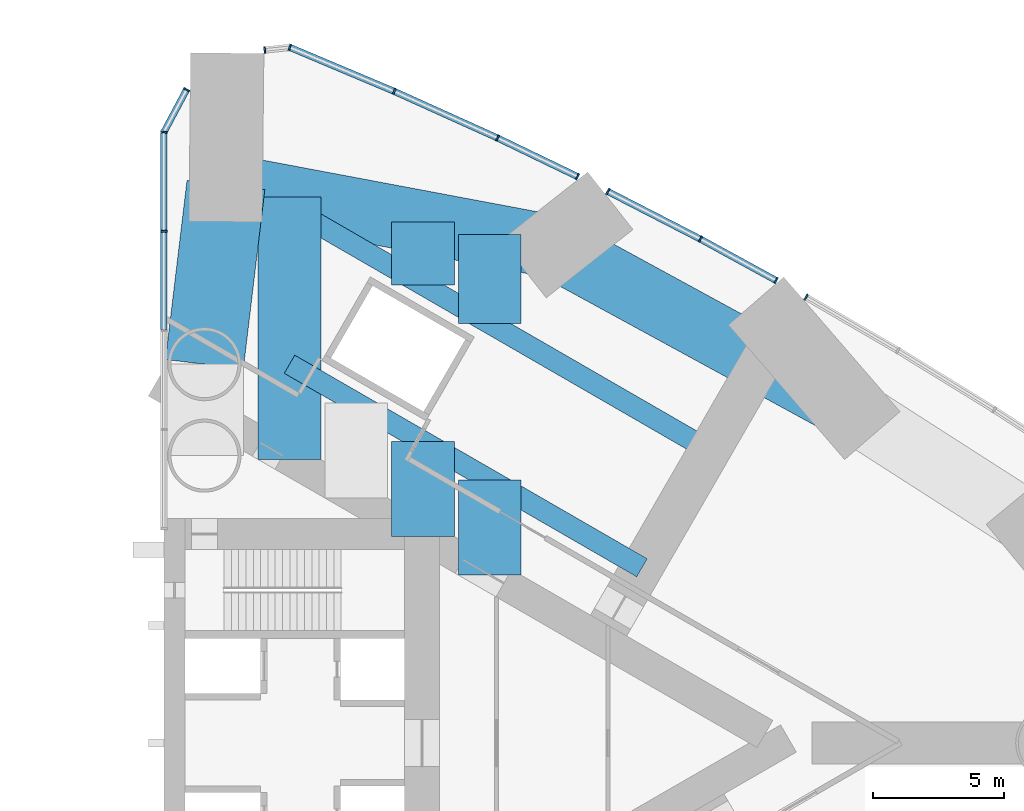
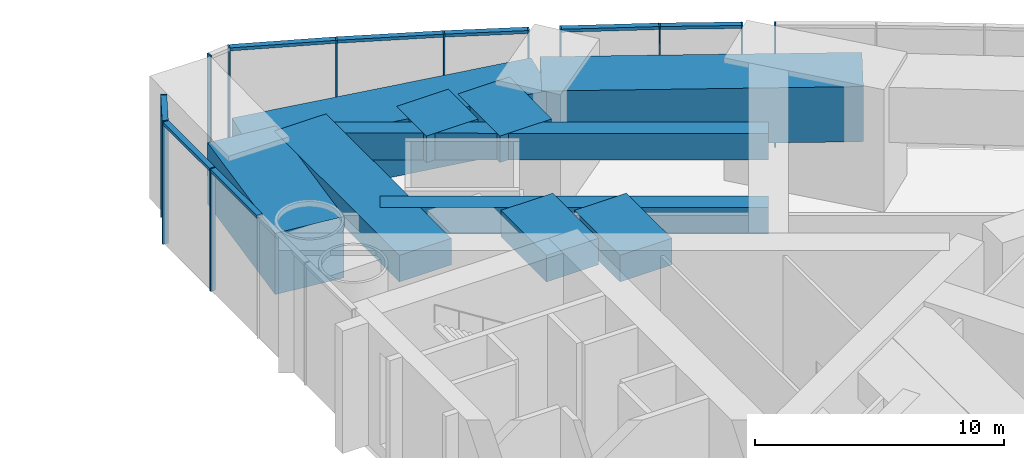
# One storey, part 8 of 18: 20 members, 10 beams, 4 elements without a shape of their own.
"""IFC4 building model written with IfcOpenShell, lengths in metres."""

from ifc_helpers import new_model, si_unit, direction, frame, origin, origin_2d, place, context, subcontext, project, spatial, rectangle, hollow_rectangle, extrude, material, material_profile, profile_set, type_object, element, aggregate, save


model = new_model("IFC4")

# Units and contexts
model_context = context("Model", 3, precision=1e-05, world=origin(), true_north=direction((0.0, 1.0)))
body_context = subcontext(model_context, "Body", "Model", "MODEL_VIEW")
ifc_project = project(units=[si_unit("LENGTHUNIT", "METRE"), si_unit("AREAUNIT", "SQUARE_METRE"), si_unit("VOLUMEUNIT", "CUBIC_METRE"), si_unit("PLANEANGLEUNIT", "RADIAN"), si_unit("MASSUNIT", "GRAM", prefix="KILO")], contexts=[model_context])

# Site, building, storey
site_placement = place(None, origin())
site = spatial("IfcSite", under=ifc_project, at=site_placement, CompositionType="ELEMENT")
building_placement = place(site_placement, origin())
building = spatial("IfcBuilding", under=site, at=building_placement, Name="Lancet Gate Hotel", CompositionType="ELEMENT")
storey_placement = place(building_placement, frame((0.0, 0.0, 81.0)))
storey = spatial("IfcBuildingStorey", under=building, at=storey_placement, Name="L21", CompositionType="ELEMENT", Elevation=81.0)

# Curtain wall, member
ifc_material_1 = material(Name="Aluminium curtain wall", Category="aluminium")
curtain_wall_type = type_object("IfcCurtainWallType", Name="Refuge storey louvred curtain wall", PredefinedType="USERDEFINED", material=ifc_material_1)
curtain_wall_1_placement = place(storey_placement, origin())
curtain_wall_1 = element("IfcCurtainWall", 1, at=curtain_wall_1_placement, inside=storey, type_object=curtain_wall_type, Name="T2 L21 curtain wall 7", ObjectType="LANTERN GLAZING", PredefinedType="USERDEFINED")
ifc_material_2 = material(Name="Aluminium mullion", Category="aluminium")
ifc_material_profile_1 = material_profile(ifc_material_2, rectangle(XDim=0.06494140625, YDim=0.25, at=origin_2d()), Name="MULLION 65x250")
ifc_profile_set_1 = profile_set([ifc_material_profile_1], Name="Aluminium mullion")
member_type_1 = type_object("IfcMemberType", Name="Aluminium mullion 65x250", PredefinedType="MULLION", material=ifc_profile_set_1)
member_1_placement = place(storey_placement, frame((52.077392578125, 17.070068359375, 0.0), z_axis=(0.0, 0.0, 1.0), x_axis=(-0.864871773788, 0.501992843479, 0.0)))
member_1 = element("IfcMember", 2, at=member_1_placement, type_object=member_type_1, Name="T2 L21 curtain wall 7 mullion 4", PredefinedType="MULLION", context=body_context, shape_type="SweptSolid", body=[
    extrude(rectangle(XDim=0.06494140625, YDim=0.25, at=origin_2d()), origin(), (0.0, 0.0, 1.0), 6.0),
])
aggregate(curtain_wall_1, [member_1])

# Curtain wall, members
curtain_wall_2_placement = place(storey_placement, origin())
curtain_wall_2 = element("IfcCurtainWall", 3, at=curtain_wall_2_placement, inside=storey, type_object=curtain_wall_type, Name="T2 L21 curtain wall 8", ObjectType="LANTERN GLAZING", PredefinedType="USERDEFINED")
member_2_placement = place(storey_placement, frame((50.929931640625, 17.70556640625, 0.0), z_axis=(0.0, 0.0, 1.0), x_axis=(-0.877368015134, 0.47981805512, 0.0)))
member_2 = element("IfcMember", 4, at=member_2_placement, type_object=member_type_1, Name="T2 L21 curtain wall 8 mullion 1", PredefinedType="MULLION", context=body_context, shape_type="SweptSolid", body=[
    extrude(rectangle(XDim=0.06494140625, YDim=0.25, at=origin_2d()), origin(), (0.0, 0.0, 1.0), 6.0),
])
member_3_placement = place(storey_placement, frame((48.03271484375, 19.2900390625, 0.0), z_axis=(0.0, 0.0, 1.0), x_axis=(-0.883962982185, 0.467556890791, 0.0)))
member_3 = element("IfcMember", 5, at=member_3_placement, type_object=member_type_1, Name="T2 L21 curtain wall 8 mullion 2", PredefinedType="MULLION", context=body_context, shape_type="SweptSolid", body=[
    extrude(rectangle(XDim=0.06494140625, YDim=0.25, at=origin_2d()), origin(), (0.0, 0.0, 1.0), 6.0),
])
member_4_placement = place(storey_placement, frame((44.487548828125, 21.11328125, 0.0), z_axis=(0.0, 0.0, 1.0), x_axis=(-0.889295829671, 0.457332403541, 0.0)))
member_4 = element("IfcMember", 6, at=member_4_placement, type_object=member_type_1, Name="T2 L21 curtain wall 8 mullion 3", PredefinedType="MULLION", context=body_context, shape_type="SweptSolid", body=[
    extrude(rectangle(XDim=0.06494140625, YDim=0.25, at=origin_2d()), origin(), (0.0, 0.0, 1.0), 6.0),
])

curtain_wall_3_placement = place(storey_placement, origin())
curtain_wall_3 = element("IfcCurtainWall", 7, at=curtain_wall_3_placement, inside=storey, type_object=curtain_wall_type, Name="T2 L21 curtain wall 9", ObjectType="LANTERN GLAZING", PredefinedType="USERDEFINED")
member_5_placement = place(storey_placement, frame((43.33203125, 21.6806640625, 0.0), z_axis=(0.0, 0.0, 1.0), x_axis=(-0.90064748964, 0.434550456686, 0.0)))
member_5 = element("IfcMember", 8, at=member_5_placement, type_object=member_type_1, Name="T2 L21 curtain wall 9 mullion 1", PredefinedType="MULLION", context=body_context, shape_type="SweptSolid", body=[
    extrude(rectangle(XDim=0.06494140625, YDim=0.25, at=origin_2d()), origin(), (0.0, 0.0, 1.0), 6.0),
])
member_6_placement = place(storey_placement, frame((40.2685546875, 23.15869140625, 0.0), z_axis=(0.0, 0.0, 1.0), x_axis=(-0.906755286651, 0.421657266189, 0.0)))
member_6 = element("IfcMember", 9, at=member_6_placement, type_object=member_type_1, Name="T2 L21 curtain wall 9 mullion 2", PredefinedType="MULLION", context=body_context, shape_type="SweptSolid", body=[
    extrude(rectangle(XDim=0.06494140625, YDim=0.25, at=origin_2d()), origin(), (0.0, 0.0, 1.0), 6.0),
])
member_7_placement = place(storey_placement, frame((36.31494140625, 24.943603515625, 0.0), z_axis=(0.0, 0.0, 1.0), x_axis=(-0.916578705089, 0.399854320193, 0.0)))
member_7 = element("IfcMember", 10, at=member_7_placement, type_object=member_type_1, Name="T2 L21 curtain wall 9 mullion 3", PredefinedType="MULLION", context=body_context, shape_type="SweptSolid", body=[
    extrude(rectangle(XDim=0.06494140625, YDim=0.25, at=origin_2d()), origin(), (0.0, 0.0, 1.0), 6.0),
])
member_8_placement = place(storey_placement, frame((32.3173828125, 26.62744140625, 0.0), z_axis=(0.0, 0.0, 1.0), x_axis=(-0.952473373857, 0.304621850979, 0.0)))
member_8 = element("IfcMember", 11, at=member_8_placement, type_object=member_type_1, Name="T2 L21 curtain wall 9 mullion 4", PredefinedType="MULLION", context=body_context, shape_type="SweptSolid", body=[
    extrude(rectangle(XDim=0.06494140625, YDim=0.25, at=origin_2d()), origin(), (0.0, 0.0, 1.0), 6.0),
])
member_9_placement = place(storey_placement, frame((31.360595703125, 26.5283203125, 0.0), z_axis=(0.0, 0.0, 1.0), x_axis=(-0.994672262412, -0.10308778001, 0.0)))
member_9 = element("IfcMember", 12, at=member_9_placement, type_object=member_type_1, Name="T2 L21 curtain wall 9 mullion 5", PredefinedType="MULLION", context=body_context, shape_type="SweptSolid", body=[
    extrude(rectangle(XDim=0.06494140625, YDim=0.25, at=origin_2d()), origin(), (0.0, 0.0, 1.0), 6.0),
])

curtain_wall_4_placement = place(storey_placement, origin())
curtain_wall_4 = element("IfcCurtainWall", 13, at=curtain_wall_4_placement, inside=storey, type_object=curtain_wall_type, Name="T2 L21 curtain wall 10", ObjectType="LANTERN GLAZING", PredefinedType="USERDEFINED")
member_10_placement = place(storey_placement, frame((28.365234375, 25.010009765625, 0.0), z_axis=(0.0, 0.0, 1.0), x_axis=(-0.469897827284, -0.882720811987, 0.0)))
member_10 = element("IfcMember", 14, at=member_10_placement, type_object=member_type_1, Name="T2 L21 curtain wall 10 mullion 1", PredefinedType="MULLION", context=body_context, shape_type="SweptSolid", body=[
    extrude(rectangle(XDim=0.06494140625, YDim=0.25, at=origin_2d()), origin(), (0.0, 0.0, 1.0), 6.0),
])
member_11_placement = place(storey_placement, frame((27.5, 23.384765625, 0.0), z_axis=(0.0, 0.0, 1.0), x_axis=(-0.157592513508, -0.98750422768, 0.0)))
member_11 = element("IfcMember", 15, at=member_11_placement, type_object=member_type_1, Name="T2 L21 curtain wall 10 mullion 2", PredefinedType="MULLION", context=body_context, shape_type="SweptSolid", body=[
    extrude(rectangle(XDim=0.06494140625, YDim=0.25, at=origin_2d()), origin(), (0.0, 0.0, 1.0), 6.0),
])
member_12_placement = place(storey_placement, frame((27.5, 19.588623046875, 0.0), z_axis=(0.0, 0.0, 1.0), x_axis=(0.0, -1.0, 0.0)))
member_12 = element("IfcMember", 16, at=member_12_placement, type_object=member_type_1, Name="T2 L21 curtain wall 10 mullion 3", PredefinedType="MULLION", context=body_context, shape_type="SweptSolid", body=[
    extrude(rectangle(XDim=0.06494140625, YDim=0.25, at=origin_2d()), origin(), (0.0, 0.0, 1.0), 6.0),
])

# Member
ifc_material_3 = material(Name="Aluminium transom", Category="aluminium")
ifc_material_profile_2 = material_profile(ifc_material_3, rectangle(XDim=0.25, YDim=0.14990234375, at=origin_2d()), Name="TRANSOM 250x150")
ifc_profile_set_2 = profile_set([ifc_material_profile_2], Name="Aluminium transom")
member_type_2 = type_object("IfcMemberType", Name="Aluminium transom 250x150", PredefinedType="USERDEFINED", material=ifc_profile_set_2)
member_13_placement = place(storey_placement, frame((50.9013671875, 17.72119140625, 5.925048828125), z_axis=(-0.877364690262, 0.479824134742, 0.0), x_axis=(-0.479824134742, -0.877364690262, 0.0)))
member_13 = element("IfcMember", 17, at=member_13_placement, type_object=member_type_2, Name="T2 L21 curtain wall 8 transom 1", ObjectType="TRANSOM", PredefinedType="USERDEFINED", context=body_context, shape_type="SweptSolid", body=[
    extrude(rectangle(XDim=0.25, YDim=0.14990234375, at=origin_2d()), origin(), (0.0, 0.0, 1.0), 3.237060546875),
])

member_14_placement = place(storey_placement, frame((48.00390625, 19.304931640625, 5.925048828125), z_axis=(-0.889302270264, 0.457319879409, 0.0), x_axis=(-0.457319879409, -0.889302270264, 0.0)))
member_14 = element("IfcMember", 18, at=member_14_placement, type_object=member_type_2, Name="T2 L21 curtain wall 8 transom 2", ObjectType="TRANSOM", PredefinedType="USERDEFINED", context=body_context, shape_type="SweptSolid", body=[
    extrude(rectangle(XDim=0.25, YDim=0.14990234375, at=origin_2d()), origin(), (0.0, 0.0, 1.0), 3.921630859375),
])

aggregate(curtain_wall_2, [member_2, member_3, member_4, member_13, member_14])

member_15_placement = place(storey_placement, frame((43.302734375, 21.69482421875, 5.925048828125), z_axis=(-0.900660279687, 0.43452394709, 0.0), x_axis=(-0.43452394709, -0.900660279687, 0.0)))
member_15 = element("IfcMember", 19, at=member_15_placement, type_object=member_type_2, Name="T2 L21 curtain wall 9 transom 1", ObjectType="TRANSOM", PredefinedType="USERDEFINED", context=body_context, shape_type="SweptSolid", body=[
    extrude(rectangle(XDim=0.25, YDim=0.14990234375, at=origin_2d()), origin(), (0.0, 0.0, 1.0), 3.33642578125),
])

member_16_placement = place(storey_placement, frame((40.23876953125, 23.172119140625, 5.925048828125), z_axis=(-0.911396871737, 0.411528543589, 0.0), x_axis=(-0.411528543589, -0.911396871737, 0.0)))
member_16 = element("IfcMember", 20, at=member_16_placement, type_object=member_type_2, Name="T2 L21 curtain wall 9 transom 2", ObjectType="TRANSOM", PredefinedType="USERDEFINED", context=body_context, shape_type="SweptSolid", body=[
    extrude(rectangle(XDim=0.25, YDim=0.14990234375, at=origin_2d()), origin(), (0.0, 0.0, 1.0), 4.272705078125),
])

member_17_placement = place(storey_placement, frame((36.28515625, 24.956298828125, 5.925048828125), z_axis=(-0.92159772617, 0.388146404233, 0.0), x_axis=(-0.388146404233, -0.92159772617, 0.0)))
member_17 = element("IfcMember", 21, at=member_17_placement, type_object=member_type_2, Name="T2 L21 curtain wall 9 transom 3", ObjectType="TRANSOM", PredefinedType="USERDEFINED", context=body_context, shape_type="SweptSolid", body=[
    extrude(rectangle(XDim=0.25, YDim=0.14990234375, at=origin_2d()), origin(), (0.0, 0.0, 1.0), 4.272705078125),
])

aggregate(curtain_wall_3, [member_5, member_6, member_7, member_8, member_9, member_15, member_16, member_17])

member_18_placement = place(storey_placement, frame((28.349853515625, 24.9814453125, 5.925048828125), z_axis=(-0.469831805048, -0.882755954364, 0.0), x_axis=(0.882755954364, -0.469831805048, 0.0)))
member_18 = element("IfcMember", 22, at=member_18_placement, type_object=member_type_2, Name="T2 L21 curtain wall 10 transom 1", ObjectType="TRANSOM", PredefinedType="USERDEFINED", context=body_context, shape_type="SweptSolid", body=[
    extrude(rectangle(XDim=0.25, YDim=0.14990234375, at=origin_2d()), origin(), (0.0, 0.0, 1.0), 1.776123046875),
])

member_19_placement = place(storey_placement, frame((27.5, 23.352294921875, 5.925048828125), z_axis=(0.0, -1.0, 0.0), x_axis=(1.0, 0.0, 0.0)))
member_19 = element("IfcMember", 23, at=member_19_placement, type_object=member_type_2, Name="T2 L21 curtain wall 10 transom 2", ObjectType="TRANSOM", PredefinedType="USERDEFINED", context=body_context, shape_type="SweptSolid", body=[
    extrude(rectangle(XDim=0.25, YDim=0.14990234375, at=origin_2d()), origin(), (0.0, 0.0, 1.0), 3.731201171875),
])

member_20_placement = place(storey_placement, frame((27.5, 19.55615234375, 5.925048828125), z_axis=(0.0, -1.0, 0.0), x_axis=(1.0, 0.0, 0.0)))
member_20 = element("IfcMember", 24, at=member_20_placement, type_object=member_type_2, Name="T2 L21 curtain wall 10 transom 3", ObjectType="TRANSOM", PredefinedType="USERDEFINED", context=body_context, shape_type="SweptSolid", body=[
    extrude(rectangle(XDim=0.25, YDim=0.14990234375, at=origin_2d()), origin(), (0.0, 0.0, 1.0), 3.731201171875),
])

aggregate(curtain_wall_4, [member_10, member_11, member_12, member_18, member_19, member_20])

# Beams
ifc_material_4 = material(Name="Concrete C50/60", Category="concrete")
ifc_material_profile_3 = material_profile(ifc_material_4, rectangle(XDim=2.39990234375, YDim=1.300048828125, at=origin_2d()), Name="RC 2400x1300")
ifc_profile_set_3 = profile_set([ifc_material_profile_3], Name="Concrete C50/60")
beam_type_1 = type_object("IfcBeamType", Name="Floor beam RC 2400x1300", PredefinedType="BEAM", material=ifc_profile_set_3)
beam_1_placement = place(storey_placement, frame((32.306396484375, 10.851806640625, 5.10009765625), z_axis=(0.0, 1.0, 0.0), x_axis=(-1.0, 0.0, 0.0)))
element("IfcBeam", 25, at=beam_1_placement, inside=storey, type_object=beam_type_1, Name="T2 floor beam F02N L21", PredefinedType="BEAM", context=body_context, shape_type="SweptSolid", body=[
    extrude(rectangle(XDim=2.39990234375, YDim=1.300048828125, at=origin_2d()), origin(), (0.0, 0.0, 1.0), 10.0458984375),
])
beam_2_placement = place(storey_placement, frame((37.412841796875, 7.903564453125, 5.10009765625), z_axis=(0.0, 1.0, 0.0), x_axis=(-1.0, 0.0, 0.0)))
element("IfcBeam", 26, at=beam_2_placement, inside=storey, type_object=beam_type_1, Name="T2 floor beam F06NA L21", PredefinedType="BEAM", context=body_context, shape_type="SweptSolid", body=[
    extrude(rectangle(XDim=2.39990234375, YDim=1.300048828125, at=origin_2d()), origin(), (0.0, 0.0, 1.0), 3.6455078125),
])
beam_3_placement = place(storey_placement, frame((37.412841796875, 17.537109375, 5.10009765625), z_axis=(0.0, 1.0, 0.0), x_axis=(-1.0, 0.0, 0.0)))
element("IfcBeam", 27, at=beam_3_placement, inside=storey, type_object=beam_type_1, Name="T2 floor beam F06NB L21", PredefinedType="BEAM", context=body_context, shape_type="SweptSolid", body=[
    extrude(rectangle(XDim=2.39990234375, YDim=1.300048828125, at=origin_2d()), origin(), (0.0, 0.0, 1.0), 2.40087890625),
])
beam_4_placement = place(storey_placement, frame((39.9658203125, 6.429443359375, 5.10009765625), z_axis=(0.0, 1.0, 0.0), x_axis=(-1.0, 0.0, 0.0)))
element("IfcBeam", 28, at=beam_4_placement, inside=storey, type_object=beam_type_1, Name="T2 floor beam F08NA L21", PredefinedType="BEAM", context=body_context, shape_type="SweptSolid", body=[
    extrude(rectangle(XDim=2.39990234375, YDim=1.300048828125, at=origin_2d()), origin(), (0.0, 0.0, 1.0), 3.64501953125),
])
beam_5_placement = place(storey_placement, frame((39.9658203125, 16.062744140625, 5.10009765625), z_axis=(0.0, 1.0, 0.0), x_axis=(-1.0, 0.0, 0.0)))
element("IfcBeam", 29, at=beam_5_placement, inside=storey, type_object=beam_type_1, Name="T2 floor beam F08NB L21", PredefinedType="BEAM", context=body_context, shape_type="SweptSolid", body=[
    extrude(rectangle(XDim=2.39990234375, YDim=1.300048828125, at=origin_2d()), origin(), (0.0, 0.0, 1.0), 3.3955078125),
])
ifc_material_5 = material(Name="Concrete C50/60", Category="concrete")
ifc_material_profile_4 = material_profile(ifc_material_5, rectangle(XDim=2.39990234375, YDim=2.699951171875, at=origin_2d()), Name="RC 2400x2700")
ifc_profile_set_4 = profile_set([ifc_material_profile_4], Name="Concrete C50/60")
beam_type_2 = type_object("IfcBeamType", Name="Tie ring beam RC 2400x2700", PredefinedType="SPANDREL", material=ifc_profile_set_4)
beam_6_placement = place(storey_placement, frame((53.697021484375, 12.827392578125, 4.39990234375), z_axis=(-0.87792015078, 0.478807068509, 0.0), x_axis=(-0.478807068509, -0.87792015078, 0.0)))
element("IfcBeam", 30, at=beam_6_placement, inside=storey, type_object=beam_type_2, Name="T2 tie ring beam RG3 L21", PredefinedType="SPANDREL", context=body_context, shape_type="SweptSolid", body=[
    extrude(rectangle(XDim=2.39990234375, YDim=2.699951171875, at=origin_2d()), origin(), (0.0, 0.0, 1.0), 12.906494140625),
])
beam_7_placement = place(storey_placement, frame((42.3662109375, 19.007080078125, 4.39990234375), z_axis=(-0.982797318081, 0.184687388776, 0.0), x_axis=(-0.184687388776, -0.982797318081, 0.0)))
element("IfcBeam", 31, at=beam_7_placement, inside=storey, type_object=beam_type_2, Name="T2 tie ring beam RG3 L21", PredefinedType="SPANDREL", context=body_context, shape_type="SweptSolid", body=[
    extrude(rectangle(XDim=2.39990234375, YDim=2.699951171875, at=origin_2d()), origin(), (0.0, 0.0, 1.0), 12.712890625),
])
ifc_material_6 = material(Name="Concrete C50/60", Category="concrete")
ifc_material_profile_5 = material_profile(ifc_material_6, rectangle(XDim=3.0, YDim=3.0, at=origin_2d()), Name="RC 3000x3000")
ifc_profile_set_5 = profile_set([ifc_material_profile_5], Name="Concrete C50/60")
beam_type_3 = type_object("IfcBeamType", Name="Tie ring beam RC 3000x3000", PredefinedType="SPANDREL", material=ifc_profile_set_5)
beam_8_placement = place(storey_placement, frame((29.050048828125, 14.5, 4.25), z_axis=(0.119062951196, 0.99288670736, 0.0), x_axis=(-0.99288670736, 0.119062951196, 0.0)))
element("IfcBeam", 32, at=beam_8_placement, inside=storey, type_object=beam_type_3, Name="T2 tie ring beam RG4 L21", PredefinedType="SPANDREL", context=body_context, shape_type="SweptSolid", body=[
    extrude(rectangle(XDim=3.0, YDim=3.0, at=origin_2d()), origin(), (0.0, 0.0, 1.0), 6.904052734375),
])
ifc_material_7 = material(Name="Steel S460QL", Category="steel")
ifc_material_profile_6 = material_profile(ifc_material_7, hollow_rectangle(XDim=0.800048828125, YDim=1.300048828125, WallThickness=0.080078125, at=origin_2d()), Name="BOX 1300x800x80")
ifc_profile_set_6 = profile_set([ifc_material_profile_6], Name="Steel S460QL")
beam_type_4 = type_object("IfcBeamType", Name="Trimmer beam BOX 1300x800x80", PredefinedType="BEAM", material=ifc_profile_set_6)
beam_9_placement = place(storey_placement, frame((32.306396484375, 20.48583984375, 5.10009765625), z_axis=(0.865985905948, -0.50006840602, 0.0), x_axis=(0.50006840602, 0.865985905948, 0.0)))
element("IfcBeam", 33, at=beam_9_placement, inside=storey, type_object=beam_type_4, Name="T2 trimmer beam TR03N L21", PredefinedType="BEAM", context=body_context, shape_type="SweptSolid", body=[
    extrude(hollow_rectangle(XDim=0.800048828125, YDim=1.300048828125, WallThickness=0.080078125, at=origin_2d()), origin(), (0.0, 0.0, 1.0), 18.5703125),
])
beam_10_placement = place(storey_placement, frame((32.306396484375, 14.497802734375, 5.10009765625), z_axis=(0.865978060158, -0.500081992603, 0.0), x_axis=(0.500081992603, 0.865978060158, 0.0)))
element("IfcBeam", 34, at=beam_10_placement, inside=storey, type_object=beam_type_4, Name="T2 trimmer beam TR04N L21", PredefinedType="BEAM", context=body_context, shape_type="SweptSolid", body=[
    extrude(hollow_rectangle(XDim=0.800048828125, YDim=1.300048828125, WallThickness=0.080078125, at=origin_2d()), origin(), (0.0, 0.0, 1.0), 15.576171875),
])

save(model, "model.ifc")
